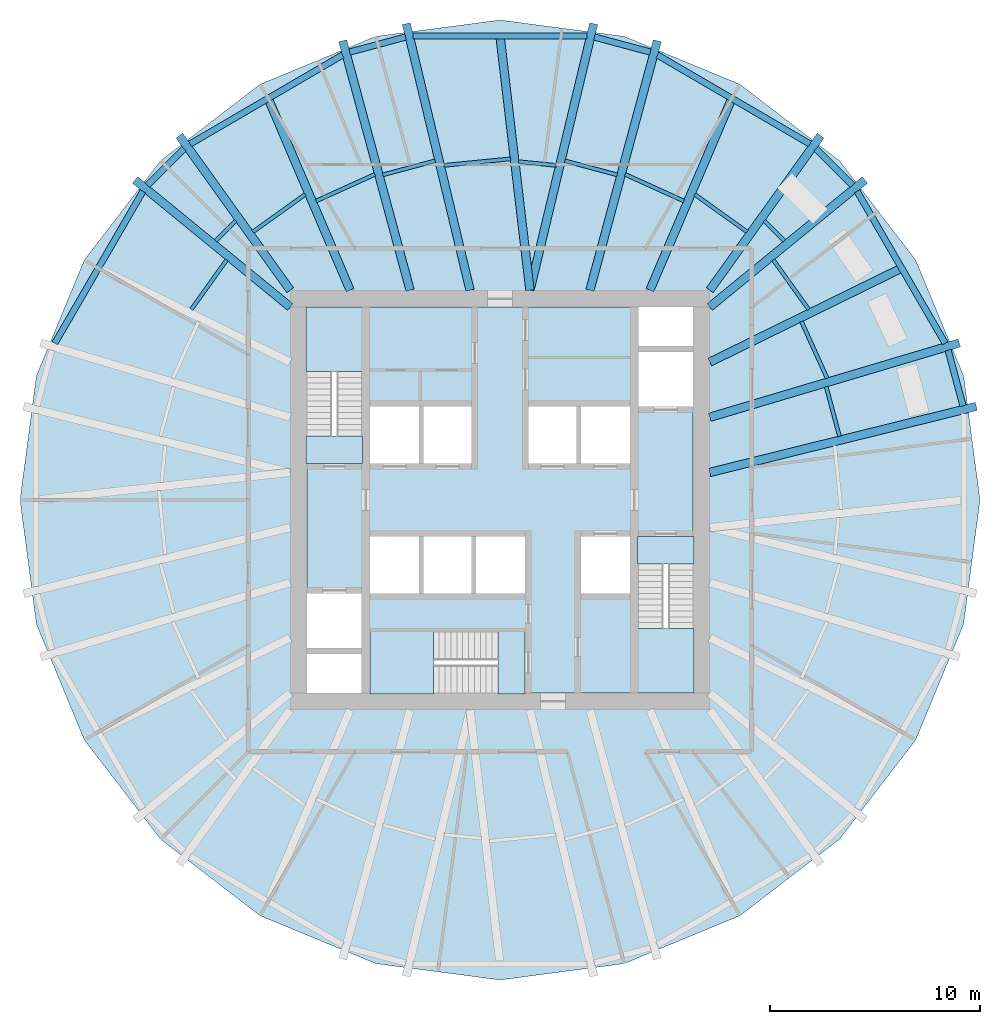
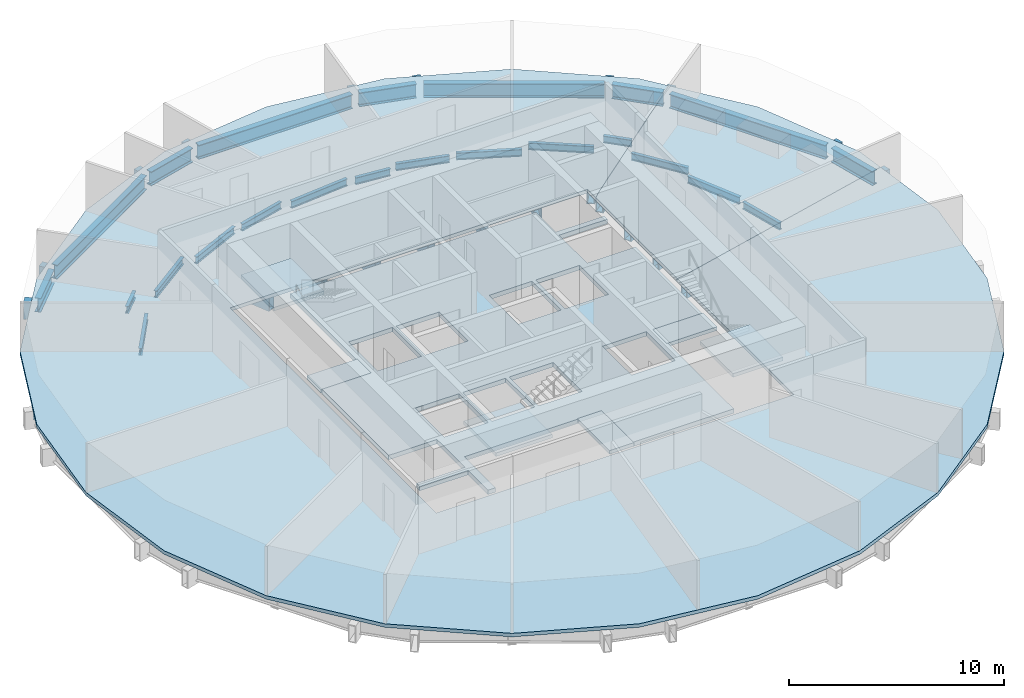
# One storey, part 2 of 7: 38 beams, 9 slabs, 3 elements without a shape of their own.
"""IFC4 building model written with IfcOpenShell, lengths in metres."""

from ifc_helpers import new_model, si_unit, direction, frame, origin, origin_2d, place, context, subcontext, project, spatial, polyline, hollow_rectangle, i_section, outline, extrude, material, layer, layer_set, material_profile, profile_set, type_object, element, aggregate, save


model = new_model("IFC4")

# Units and contexts
model_context = context("Model", 3, precision=1e-05, world=origin(), true_north=direction((0.0, 1.0)))
body_context = subcontext(model_context, "Body", "Model", "MODEL_VIEW")
ifc_project = project(units=[si_unit("LENGTHUNIT", "METRE"), si_unit("AREAUNIT", "SQUARE_METRE"), si_unit("VOLUMEUNIT", "CUBIC_METRE"), si_unit("PLANEANGLEUNIT", "RADIAN"), si_unit("MASSUNIT", "GRAM", prefix="KILO")], contexts=[model_context])

# Site, building, storey
site_placement = place(None, origin())
site = spatial("IfcSite", under=ifc_project, at=site_placement, CompositionType="ELEMENT")
building_placement = place(site_placement, origin())
building = spatial("IfcBuilding", under=site, at=building_placement, Name="Golbaran Civic Tower", CompositionType="ELEMENT")
storey_placement = place(building_placement, frame((0.0, 0.0, 41.0)))
storey = spatial("IfcBuildingStorey", under=building, at=storey_placement, Name="L09", CompositionType="ELEMENT", Elevation=41.0)

# Beams
ifc_material_1 = material(Name="Steel S355", Category="steel")
ifc_material_profile_1 = material_profile(ifc_material_1, i_section(OverallWidth=0.300048828125, OverallDepth=0.800048828125, WebThickness=0.017578125, FlangeThickness=0.032958984375, FilletRadius=0.030029296875, at=origin_2d()), Name="HEB 800")
ifc_profile_set_1 = profile_set([ifc_material_profile_1], Name="Steel S355")
beam_type_1 = type_object("IfcBeamType", Name="EDGE BEAM HEB 800", PredefinedType="BEAM", material=ifc_profile_set_1)
beam_1_placement = place(storey_placement, frame((22.071044921875, 4.489501953125, -0.60009765625), z_axis=(-0.258638144049, 0.965974280425, 0.0), x_axis=(-0.965974280425, -0.258638144049, 0.0)))
element("IfcBeam", 1, at=beam_1_placement, inside=storey, type_object=beam_type_1, Name="Edge beam 11.19 L09", PredefinedType="BEAM", context=body_context, shape_type="SweptSolid", body=[
    extrude(i_section(OverallWidth=0.300048828125, OverallDepth=0.800048828125, WebThickness=0.017578125, FlangeThickness=0.032958984375, FilletRadius=0.030029296875, at=origin_2d()), origin(), (0.0, 0.0, 1.0), 2.7412109375),
])
beam_2_placement = place(storey_placement, frame((21.22265625, 7.471435546875, -0.60009765625), z_axis=(-0.50172114433, 0.865029417611, 0.0), x_axis=(-0.865029417611, -0.50172114433, 0.0)))
element("IfcBeam", 2, at=beam_2_placement, inside=storey, type_object=beam_type_1, Name="Edge beam 18.81 L09", PredefinedType="BEAM", context=body_context, shape_type="SweptSolid", body=[
    extrude(i_section(OverallWidth=0.300048828125, OverallDepth=0.800048828125, WebThickness=0.017578125, FlangeThickness=0.032958984375, FilletRadius=0.030029296875, at=origin_2d()), origin(), (0.0, 0.0, 1.0), 8.373046875),
])
beam_3_placement = place(storey_placement, frame((16.802490234375, 15.000244140625, -0.60009765625), z_axis=(-0.705868721941, 0.708342676525, 0.0), x_axis=(-0.708342676525, -0.705868721941, 0.0)))
element("IfcBeam", 3, at=beam_3_placement, inside=storey, type_object=beam_type_1, Name="Edge beam 41.19 L09", PredefinedType="BEAM", context=body_context, shape_type="SweptSolid", body=[
    extrude(i_section(OverallWidth=0.300048828125, OverallDepth=0.800048828125, WebThickness=0.017578125, FlangeThickness=0.032958984375, FilletRadius=0.030029296875, at=origin_2d()), origin(), (0.0, 0.0, 1.0), 2.467041015625),
])
beam_4_placement = place(storey_placement, frame((14.776123046875, 16.96826171875, -0.60009765625), z_axis=(-0.863782055537, 0.503865617534, 0.0), x_axis=(-0.503865617534, -0.863782055537, 0.0)))
element("IfcBeam", 4, at=beam_4_placement, inside=storey, type_object=beam_type_1, Name="Edge beam 48.81 L09", PredefinedType="BEAM", context=body_context, shape_type="SweptSolid", body=[
    extrude(i_section(OverallWidth=0.300048828125, OverallDepth=0.800048828125, WebThickness=0.017578125, FlangeThickness=0.032958984375, FilletRadius=0.030029296875, at=origin_2d()), origin(), (0.0, 0.0, 1.0), 8.420654296875),
])
beam_5_placement = place(storey_placement, frame((7.16748046875, 21.351806640625, -0.60009765625), z_axis=(-0.965735952786, 0.259526625797, 0.0), x_axis=(-0.259526625797, -0.965735952786, 0.0)))
element("IfcBeam", 5, at=beam_5_placement, inside=storey, type_object=beam_type_1, Name="Edge beam 71.19 L09", PredefinedType="BEAM", context=body_context, shape_type="SweptSolid", body=[
    extrude(i_section(OverallWidth=0.300048828125, OverallDepth=0.800048828125, WebThickness=0.017578125, FlangeThickness=0.032958984375, FilletRadius=0.030029296875, at=origin_2d()), origin(), (0.0, 0.0, 1.0), 2.762939453125),
])
beam_6_placement = place(storey_placement, frame((4.140380859375, 22.115478515625, -0.60009765625), z_axis=(-1.0, 0.0, 0.0), x_axis=(0.0, -1.0, 0.0)))
element("IfcBeam", 6, at=beam_6_placement, inside=storey, type_object=beam_type_1, Name="Edge beam 78.81 L09", PredefinedType="BEAM", context=body_context, shape_type="SweptSolid", body=[
    extrude(i_section(OverallWidth=0.300048828125, OverallDepth=0.800048828125, WebThickness=0.017578125, FlangeThickness=0.032958984375, FilletRadius=0.030029296875, at=origin_2d()), origin(), (0.0, 0.0, 1.0), 8.28076171875),
])
beam_7_placement = place(storey_placement, frame((-4.499267578125, 22.06884765625, -0.60009765625), z_axis=(-0.965735952786, -0.259526625797, 0.0), x_axis=(0.259526625797, -0.965735952786, 0.0)))
element("IfcBeam", 7, at=beam_7_placement, inside=storey, type_object=beam_type_1, Name="Edge beam 101.19 L09", PredefinedType="BEAM", context=body_context, shape_type="SweptSolid", body=[
    extrude(i_section(OverallWidth=0.300048828125, OverallDepth=0.800048828125, WebThickness=0.017578125, FlangeThickness=0.032958984375, FilletRadius=0.030029296875, at=origin_2d()), origin(), (0.0, 0.0, 1.0), 2.762939453125),
])
beam_8_placement = place(storey_placement, frame((-7.50244140625, 21.211181640625, -0.60009765625), z_axis=(-0.863782055537, -0.503865617534, 0.0), x_axis=(0.503865617534, -0.863782055537, 0.0)))
element("IfcBeam", 8, at=beam_8_placement, inside=storey, type_object=beam_type_1, Name="Edge beam 108.81 L09", PredefinedType="BEAM", context=body_context, shape_type="SweptSolid", body=[
    extrude(i_section(OverallWidth=0.300048828125, OverallDepth=0.800048828125, WebThickness=0.017578125, FlangeThickness=0.032958984375, FilletRadius=0.030029296875, at=origin_2d()), origin(), (0.0, 0.0, 1.0), 8.420654296875),
])
beam_9_placement = place(storey_placement, frame((-15.06103515625, 16.747802734375, -0.60009765625), z_axis=(-0.705868721941, -0.708342676525, 0.0), x_axis=(0.708342676525, -0.705868721941, 0.0)))
element("IfcBeam", 9, at=beam_9_placement, inside=storey, type_object=beam_type_1, Name="Edge beam 131.19 L09", PredefinedType="BEAM", context=body_context, shape_type="SweptSolid", body=[
    extrude(i_section(OverallWidth=0.300048828125, OverallDepth=0.800048828125, WebThickness=0.017578125, FlangeThickness=0.032958984375, FilletRadius=0.030029296875, at=origin_2d()), origin(), (0.0, 0.0, 1.0), 2.467041015625),
])
beam_10_placement = place(storey_placement, frame((-17.021728515625, 14.71435546875, -0.60009765625), z_axis=(-0.50172114433, -0.865029417611, 0.0), x_axis=(0.865029417611, -0.50172114433, 0.0)))
element("IfcBeam", 10, at=beam_10_placement, inside=storey, type_object=beam_type_1, Name="Edge beam 138.81 L09", PredefinedType="BEAM", context=body_context, shape_type="SweptSolid", body=[
    extrude(i_section(OverallWidth=0.300048828125, OverallDepth=0.800048828125, WebThickness=0.017578125, FlangeThickness=0.032958984375, FilletRadius=0.030029296875, at=origin_2d()), origin(), (0.0, 0.0, 1.0), 8.373046875),
])
ifc_material_profile_2 = material_profile(ifc_material_1, i_section(OverallWidth=0.179931640625, OverallDepth=0.39990234375, WebThickness=0.008544921875, FlangeThickness=0.013427734375, FilletRadius=0.02099609375, at=origin_2d()), Name="IPE 400")
ifc_profile_set_2 = profile_set([ifc_material_profile_2], Name="Steel S355")
beam_type_2 = type_object("IfcBeamType", Name="FLOOR INFILL BEAM IPE 400", PredefinedType="BEAM", material=ifc_profile_set_2)
beam_11_placement = place(storey_placement, frame((16.183837890625, 3.03125, -0.39990234375), z_axis=(-0.258830374631, 0.96592279048, 0.0), x_axis=(-0.96592279048, -0.258830374631, 0.0)))
element("IfcBeam", 11, at=beam_11_placement, inside=storey, type_object=beam_type_2, Name="Infill beam 15.00 L09", PredefinedType="BEAM", context=body_context, shape_type="SweptSolid", body=[
    extrude(i_section(OverallWidth=0.179931640625, OverallDepth=0.39990234375, WebThickness=0.008544921875, FlangeThickness=0.013427734375, FilletRadius=0.02099609375, at=origin_2d()), origin(), (0.0, 0.0, 1.0), 2.458984375),
])
beam_12_placement = place(storey_placement, frame((15.597412109375, 5.796875, -0.39990234375), z_axis=(-0.413142393839, 0.910666438611, 0.0), x_axis=(-0.910666438611, -0.413142393839, 0.0)))
element("IfcBeam", 12, at=beam_12_placement, inside=storey, type_object=beam_type_2, Name="Infill beam 24.40 L09", PredefinedType="BEAM", context=body_context, shape_type="SweptSolid", body=[
    extrude(i_section(OverallWidth=0.179931640625, OverallDepth=0.39990234375, WebThickness=0.008544921875, FlangeThickness=0.013427734375, FilletRadius=0.02099609375, at=origin_2d()), origin(), (0.0, 0.0, 1.0), 2.97998046875),
])
beam_13_placement = place(storey_placement, frame((14.7158203125, 9.083251953125, -0.39990234375), z_axis=(-0.582065148857, 0.813142153922, 0.0), x_axis=(-0.813142153922, -0.582065148857, 0.0)))
element("IfcBeam", 13, at=beam_13_placement, inside=storey, type_object=beam_type_2, Name="Infill beam 35.60 L09", PredefinedType="BEAM", context=body_context, shape_type="SweptSolid", body=[
    extrude(i_section(OverallWidth=0.179931640625, OverallDepth=0.39990234375, WebThickness=0.008544921875, FlangeThickness=0.013427734375, FilletRadius=0.02099609375, at=origin_2d()), origin(), (0.0, 0.0, 1.0), 2.9033203125),
])
beam_14_placement = place(storey_placement, frame((13.55810546875, 12.3447265625, -0.39990234375), z_axis=(-0.707017211642, 0.707196339387, 0.0), x_axis=(-0.707196339387, -0.707017211642, 0.0)))
element("IfcBeam", 14, at=beam_14_placement, inside=storey, type_object=beam_type_2, Name="Infill beam 45.00 L09", PredefinedType="BEAM", context=body_context, shape_type="SweptSolid", body=[
    extrude(i_section(OverallWidth=0.179931640625, OverallDepth=0.39990234375, WebThickness=0.008544921875, FlangeThickness=0.013427734375, FilletRadius=0.02099609375, at=origin_2d()), origin(), (0.0, 0.0, 1.0), 1.363037109375),
])
beam_15_placement = place(storey_placement, frame((11.774658203125, 12.783203125, -0.39990234375), z_axis=(-0.813144773342, 0.582061489523, 0.0), x_axis=(-0.582061489523, -0.813144773342, 0.0)))
element("IfcBeam", 15, at=beam_15_placement, inside=storey, type_object=beam_type_2, Name="Infill beam 54.40 L09", PredefinedType="BEAM", context=body_context, shape_type="SweptSolid", body=[
    extrude(i_section(OverallWidth=0.179931640625, OverallDepth=0.39990234375, WebThickness=0.008544921875, FlangeThickness=0.013427734375, FilletRadius=0.02099609375, at=origin_2d()), origin(), (0.0, 0.0, 1.0), 3.056396484375),
])
beam_16_placement = place(storey_placement, frame((8.764892578125, 14.25146484375, -0.39990234375), z_axis=(-0.910654469419, 0.413168775838, 0.0), x_axis=(-0.413168775838, -0.910654469419, 0.0)))
element("IfcBeam", 16, at=beam_16_placement, inside=storey, type_object=beam_type_2, Name="Infill beam 65.60 L09", PredefinedType="BEAM", context=body_context, shape_type="SweptSolid", body=[
    extrude(i_section(OverallWidth=0.179931640625, OverallDepth=0.39990234375, WebThickness=0.008544921875, FlangeThickness=0.013427734375, FilletRadius=0.02099609375, at=origin_2d()), origin(), (0.0, 0.0, 1.0), 3.074951171875),
])
beam_17_placement = place(storey_placement, frame((5.585693359375, 15.4990234375, -0.39990234375), z_axis=(-0.965922339131, 0.258832059004, 0.0), x_axis=(-0.258832059004, -0.965922339131, 0.0)))
element("IfcBeam", 17, at=beam_17_placement, inside=storey, type_object=beam_type_2, Name="Infill beam 75.00 L09", PredefinedType="BEAM", context=body_context, shape_type="SweptSolid", body=[
    extrude(i_section(OverallWidth=0.179931640625, OverallDepth=0.39990234375, WebThickness=0.008544921875, FlangeThickness=0.013427734375, FilletRadius=0.02099609375, at=origin_2d()), origin(), (0.0, 0.0, 1.0), 2.58544921875),
])
beam_18_placement = place(storey_placement, frame((2.666259765625, 15.95068359375, -0.39990234375), z_axis=(-0.995231385986, 0.097542238791, 0.0), x_axis=(-0.097542238791, -0.995231385986, 0.0)))
element("IfcBeam", 18, at=beam_18_placement, inside=storey, type_object=beam_type_2, Name="Infill beam 84.40 L09", PredefinedType="BEAM", context=body_context, shape_type="SweptSolid", body=[
    extrude(i_section(OverallWidth=0.179931640625, OverallDepth=0.39990234375, WebThickness=0.008544921875, FlangeThickness=0.013427734375, FilletRadius=0.02099609375, at=origin_2d()), origin(), (0.0, 0.0, 1.0), 1.787109375),
])
beam_19_placement = place(storey_placement, frame((0.509033203125, 16.26171875, -0.39990234375), z_axis=(-0.995236680809, -0.097488200165, 0.0), x_axis=(0.097488200165, -0.995236680809, 0.0)))
element("IfcBeam", 19, at=beam_19_placement, inside=storey, type_object=beam_type_2, Name="Infill beam 95.60 L09", PredefinedType="BEAM", context=body_context, shape_type="SweptSolid", body=[
    extrude(i_section(OverallWidth=0.179931640625, OverallDepth=0.39990234375, WebThickness=0.008544921875, FlangeThickness=0.013427734375, FilletRadius=0.02099609375, at=origin_2d()), origin(), (0.0, 0.0, 1.0), 3.1904296875),
])
beam_20_placement = place(storey_placement, frame((-3.08837890625, 16.168212890625, -0.39990234375), z_axis=(-0.965922339131, -0.258832059004, 0.0), x_axis=(0.258832059004, -0.965922339131, 0.0)))
element("IfcBeam", 20, at=beam_20_placement, inside=storey, type_object=beam_type_2, Name="Infill beam 105.00 L09", PredefinedType="BEAM", context=body_context, shape_type="SweptSolid", body=[
    extrude(i_section(OverallWidth=0.179931640625, OverallDepth=0.39990234375, WebThickness=0.008544921875, FlangeThickness=0.013427734375, FilletRadius=0.02099609375, at=origin_2d()), origin(), (0.0, 0.0, 1.0), 2.58544921875),
])
beam_21_placement = place(storey_placement, frame((-5.964599609375, 15.52197265625, -0.39990234375), z_axis=(-0.910654469419, -0.413168775838, 0.0), x_axis=(0.413168775838, -0.910654469419, 0.0)))
element("IfcBeam", 21, at=beam_21_placement, inside=storey, type_object=beam_type_2, Name="Infill beam 114.40 L09", PredefinedType="BEAM", context=body_context, shape_type="SweptSolid", body=[
    extrude(i_section(OverallWidth=0.179931640625, OverallDepth=0.39990234375, WebThickness=0.008544921875, FlangeThickness=0.013427734375, FilletRadius=0.02099609375, at=origin_2d()), origin(), (0.0, 0.0, 1.0), 3.074951171875),
])
beam_22_placement = place(storey_placement, frame((-9.289306640625, 14.562255859375, -0.39990234375), z_axis=(-0.813144773342, -0.582061489523, 0.0), x_axis=(0.582061489523, -0.813144773342, 0.0)))
element("IfcBeam", 22, at=beam_22_placement, inside=storey, type_object=beam_type_2, Name="Infill beam 125.60 L09", PredefinedType="BEAM", context=body_context, shape_type="SweptSolid", body=[
    extrude(i_section(OverallWidth=0.179931640625, OverallDepth=0.39990234375, WebThickness=0.008544921875, FlangeThickness=0.013427734375, FilletRadius=0.02099609375, at=origin_2d()), origin(), (0.0, 0.0, 1.0), 3.056396484375),
])
beam_23_placement = place(storey_placement, frame((-12.594482421875, 13.30859375, -0.39990234375), z_axis=(-0.707017211642, -0.707196339387, 0.0), x_axis=(0.707196339387, -0.707017211642, 0.0)))
element("IfcBeam", 23, at=beam_23_placement, inside=storey, type_object=beam_type_2, Name="Infill beam 135.00 L09", PredefinedType="BEAM", context=body_context, shape_type="SweptSolid", body=[
    extrude(i_section(OverallWidth=0.179931640625, OverallDepth=0.39990234375, WebThickness=0.008544921875, FlangeThickness=0.013427734375, FilletRadius=0.02099609375, at=origin_2d()), origin(), (0.0, 0.0, 1.0), 1.363037109375),
])
beam_24_placement = place(storey_placement, frame((-13.02587890625, 11.444091796875, -0.39990234375), z_axis=(-0.582065148857, -0.813142153922, 0.0), x_axis=(0.813142153922, -0.582065148857, 0.0)))
element("IfcBeam", 24, at=beam_24_placement, inside=storey, type_object=beam_type_2, Name="Infill beam 144.40 L09", PredefinedType="BEAM", context=body_context, shape_type="SweptSolid", body=[
    extrude(i_section(OverallWidth=0.179931640625, OverallDepth=0.39990234375, WebThickness=0.008544921875, FlangeThickness=0.013427734375, FilletRadius=0.02099609375, at=origin_2d()), origin(), (0.0, 0.0, 1.0), 2.9033203125),
])
ifc_material_profile_3 = material_profile(ifc_material_1, hollow_rectangle(XDim=0.39990234375, YDim=1.0, WallThickness=0.050048828125, at=origin_2d()), Name="BOX 1000x400x50")
ifc_profile_set_3 = profile_set([ifc_material_profile_3], Name="Steel S355")
beam_type_3 = type_object("IfcBeamType", Name="RADIAL FLOOR BEAM BOX 1000x400x50", PredefinedType="BEAM", material=ifc_profile_set_3)
beam_25_placement = place(storey_placement, frame((10.0, 1.314208984375, -0.7099609375), z_axis=(0.97067018193, 0.24041505342, 0.0), x_axis=(-0.24041505342, 0.97067018193, 0.0)))
element("IfcBeam", 25, at=beam_25_placement, inside=storey, type_object=beam_type_3, Name="Radial beam 11.19 L09", PredefinedType="BEAM", context=body_context, shape_type="SweptSolid", body=[
    extrude(hollow_rectangle(XDim=0.39990234375, YDim=1.0, WallThickness=0.050048828125, at=origin_2d()), origin(), (0.0, 0.0, 1.0), 13.087646484375),
])
beam_26_placement = place(storey_placement, frame((10.0, 3.94287109375, -0.7099609375), z_axis=(0.958432738692, 0.285318568276, 0.0), x_axis=(-0.285318568276, 0.958432738692, 0.0)))
element("IfcBeam", 26, at=beam_26_placement, inside=storey, type_object=beam_type_3, Name="Radial beam 18.81 L09", PredefinedType="BEAM", context=body_context, shape_type="SweptSolid", body=[
    extrude(hollow_rectangle(XDim=0.39990234375, YDim=1.0, WallThickness=0.050048828125, at=origin_2d()), origin(), (0.0, 0.0, 1.0), 12.409912109375),
])
beam_27_placement = place(storey_placement, frame((10.0, 9.199951171875, -0.7099609375), z_axis=(0.77385713329, 0.63336019551, 0.0), x_axis=(-0.63336019551, 0.77385713329, 0.0)))
element("IfcBeam", 27, at=beam_27_placement, inside=storey, type_object=beam_type_3, Name="Radial beam 41.19 L09", PredefinedType="BEAM", context=body_context, shape_type="SweptSolid", body=[
    extrude(hollow_rectangle(XDim=0.39990234375, YDim=1.0, WallThickness=0.050048828125, at=origin_2d()), origin(), (0.0, 0.0, 1.0), 9.557373046875),
])
beam_28_placement = place(storey_placement, frame((10.0, 10.0, -0.7099609375), z_axis=(0.58278844235, 0.812623917605, 0.0), x_axis=(-0.812623917605, 0.58278844235, 0.0)))
element("IfcBeam", 28, at=beam_28_placement, inside=storey, type_object=beam_type_3, Name="Radial beam 48.81 L09", PredefinedType="BEAM", context=body_context, shape_type="SweptSolid", body=[
    extrude(hollow_rectangle(XDim=0.39990234375, YDim=1.0, WallThickness=0.050048828125, at=origin_2d()), origin(), (0.0, 0.0, 1.0), 9.066162109375),
])
beam_29_placement = place(storey_placement, frame((4.28564453125, 10.0, -0.7099609375), z_axis=(0.260929495755, 0.965357860197, 0.0), x_axis=(-0.965357860197, 0.260929495755, 0.0)))
element("IfcBeam", 29, at=beam_29_placement, inside=storey, type_object=beam_type_3, Name="Radial beam 71.19 L09", PredefinedType="BEAM", context=body_context, shape_type="SweptSolid", body=[
    extrude(hollow_rectangle(XDim=0.39990234375, YDim=1.0, WallThickness=0.050048828125, at=origin_2d()), origin(), (0.0, 0.0, 1.0), 12.316162109375),
])
for number, where, z_axis, x_axis, name in (
    (30, (1.428466796875, 10.0, -0.7099609375), (0.232556300315, 0.97258293589, 0.0), (-0.97258293589, 0.232556300315, 0.0), "Radial beam 78.81 L09"),
    (31, (-1.428466796875, 10.0, -0.7099609375), (-0.232556300315, 0.97258293589, 0.0), (-0.97258293589, -0.232556300315, 0.0), "Radial beam 101.19 L09"),
):
    element("IfcBeam", number, at=place(storey_placement, frame(where, z_axis=z_axis, x_axis=x_axis)), inside=storey, type_object=beam_type_3, Name=name, PredefinedType="BEAM", context=body_context, shape_type="SweptSolid", body=[
        extrude(hollow_rectangle(XDim=0.39990234375, YDim=1.0, WallThickness=0.050048828125, at=origin_2d()), origin(), (0.0, 0.0, 1.0), 13.060791015625),
    ])
beam_30_placement = place(storey_placement, frame((-4.28564453125, 10.0, -0.7099609375), z_axis=(-0.260929495755, 0.965357860197, 0.0), x_axis=(-0.965357860197, -0.260929495755, 0.0)))
element("IfcBeam", 32, at=beam_30_placement, inside=storey, type_object=beam_type_3, Name="Radial beam 108.81 L09", PredefinedType="BEAM", context=body_context, shape_type="SweptSolid", body=[
    extrude(hollow_rectangle(XDim=0.39990234375, YDim=1.0, WallThickness=0.050048828125, at=origin_2d()), origin(), (0.0, 0.0, 1.0), 12.316162109375),
])
beam_31_placement = place(storey_placement, frame((-10.0, 10.0, -0.7099609375), z_axis=(-0.58278844235, 0.812623917605, 0.0), x_axis=(-0.812623917605, -0.58278844235, 0.0)))
element("IfcBeam", 33, at=beam_31_placement, inside=storey, type_object=beam_type_3, Name="Radial beam 131.19 L09", PredefinedType="BEAM", context=body_context, shape_type="SweptSolid", body=[
    extrude(hollow_rectangle(XDim=0.39990234375, YDim=1.0, WallThickness=0.050048828125, at=origin_2d()), origin(), (0.0, 0.0, 1.0), 9.066162109375),
])
beam_32_placement = place(storey_placement, frame((-10.0, 9.199951171875, -0.7099609375), z_axis=(-0.77385713329, 0.63336019551, 0.0), x_axis=(-0.63336019551, -0.77385713329, 0.0)))
element("IfcBeam", 34, at=beam_32_placement, inside=storey, type_object=beam_type_3, Name="Radial beam 138.81 L09", PredefinedType="BEAM", context=body_context, shape_type="SweptSolid", body=[
    extrude(hollow_rectangle(XDim=0.39990234375, YDim=1.0, WallThickness=0.050048828125, at=origin_2d()), origin(), (0.0, 0.0, 1.0), 9.557373046875),
])
ifc_material_profile_4 = material_profile(ifc_material_1, hollow_rectangle(XDim=0.39990234375, YDim=1.0, WallThickness=0.0400390625, at=origin_2d()), Name="BOX 1000x400x40")
ifc_profile_set_4 = profile_set([ifc_material_profile_4], Name="Steel S355")
beam_type_4 = type_object("IfcBeamType", Name="SECONDARY FLOOR BEAM BOX 1000x400x40", PredefinedType="BEAM", material=ifc_profile_set_4)
beam_33_placement = place(storey_placement, frame((10.0, 6.571533203125, -0.7099609375), z_axis=(0.897956388499, 0.440084451387, 0.0), x_axis=(-0.440084451387, 0.897956388499, 0.0)))
element("IfcBeam", 35, at=beam_33_placement, inside=storey, type_object=beam_type_4, Name="Secondary beam 30.00 L09", PredefinedType="BEAM", context=body_context, shape_type="SweptSolid", body=[
    extrude(hollow_rectangle(XDim=0.39990234375, YDim=1.0, WallThickness=0.0400390625, at=origin_2d()), origin(), (0.0, 0.0, 1.0), 10.184326171875),
])
beam_34_placement = place(storey_placement, frame((7.142822265625, 10.0, -0.7099609375), z_axis=(0.393118908522, 0.919487641985, 0.0), x_axis=(-0.919487641985, 0.393118908522, 0.0)))
element("IfcBeam", 36, at=beam_34_placement, inside=storey, type_object=beam_type_4, Name="Secondary beam 60.00 L09", PredefinedType="BEAM", context=body_context, shape_type="SweptSolid", body=[
    extrude(hollow_rectangle(XDim=0.39990234375, YDim=1.0, WallThickness=0.0400390625, at=origin_2d()), origin(), (0.0, 0.0, 1.0), 9.941650390625),
])
beam_35_placement = place(storey_placement, frame((1.428466796875, 10.0, -0.7099609375), z_axis=(-0.117093210218, 0.993120929253, 0.0), x_axis=(-0.993120929253, -0.117093210218, 0.0)))
element("IfcBeam", 37, at=beam_35_placement, inside=storey, type_object=beam_type_4, Name="Secondary beam 90.00 L09", PredefinedType="BEAM", context=body_context, shape_type="SweptSolid", body=[
    extrude(hollow_rectangle(XDim=0.39990234375, YDim=1.0, WallThickness=0.0400390625, at=origin_2d()), origin(), (0.0, 0.0, 1.0), 12.199462890625),
])
beam_36_placement = place(storey_placement, frame((-7.142822265625, 10.0, -0.7099609375), z_axis=(-0.393118908522, 0.919487641985, 0.0), x_axis=(-0.919487641985, -0.393118908522, 0.0)))
element("IfcBeam", 38, at=beam_36_placement, inside=storey, type_object=beam_type_4, Name="Secondary beam 120.00 L09", PredefinedType="BEAM", context=body_context, shape_type="SweptSolid", body=[
    extrude(hollow_rectangle(XDim=0.39990234375, YDim=1.0, WallThickness=0.0400390625, at=origin_2d()), origin(), (0.0, 0.0, 1.0), 9.941650390625),
])

# Slabs
ifc_material_2 = material(Name="Concrete LC30/33 lightweight on steel deck", Category="concrete")
ifc_layer_1 = layer(ifc_material_2, 0.199951171875, Name="Concrete LC30/33 lightweight on steel deck")
ifc_layer_set_1 = layer_set([ifc_layer_1], Name="Concrete LC30/33 lightweight on steel deck")
slab_type_1 = type_object("IfcSlabType", Name="COMPOSITE FLOOR SLAB 200", PredefinedType="FLOOR", material=ifc_layer_set_1)
slab_1_placement = place(storey_placement, frame((0.0, 0.0, -0.199951171875)))
element("IfcSlab", 39, at=slab_1_placement, inside=storey, type_object=slab_type_1, Name="Sky garden deck L09", PredefinedType="FLOOR", context=body_context, shape_type="SweptSolid", body=[
    extrude(outline(polyline([(22.1005859375, 5.921875), (22.305908203125, 4.362060546875), (10.0, 1.314208984375), (9.60009765625, 1.26171875), (9.60009765625, 8.83203125), (10.0, 9.199951171875), (17.08447265625, 14.99853515625), (19.81494140625, 11.440185546875), (22.1005859375, 5.921875)])), origin(), (0.0, 0.0, 1.0), 0.199951171875),
])
slab_2_placement = place(storey_placement, frame((0.0, 0.0, -0.199951171875)))
element("IfcSlab", 40, at=slab_2_placement, inside=storey, type_object=slab_type_1, Name="Floor slab L09", PredefinedType="FLOOR", context=body_context, shape_type="SweptSolid", body=[
    extrude(outline(polyline([(16.1787109375, -16.1787109375), (11.440185546875, -19.81494140625), (5.921875, -22.1005859375), (0.0, -22.88037109375), (-5.921875, -22.1005859375), (-11.440185546875, -19.81494140625), (-16.1787109375, -16.1787109375), (-19.81494140625, -11.440185546875), (-22.1005859375, -5.921875), (-22.88037109375, 0.0), (-22.1005859375, 5.921875), (-19.81494140625, 11.440185546875), (-16.1787109375, 16.1787109375), (-11.440185546875, 19.81494140625), (-5.921875, 22.1005859375), (0.0, 22.88037109375), (5.921875, 22.1005859375), (11.440185546875, 19.81494140625), (16.1787109375, 16.1787109375), (17.08447265625, 14.99853515625), (10.0, 9.199951171875), (9.60009765625, 8.83203125), (9.60009765625, 9.60009765625), (-9.60009765625, 9.60009765625), (-9.60009765625, -9.60009765625), (9.60009765625, -9.60009765625), (9.60009765625, 1.26171875), (10.0, 1.314208984375), (22.305908203125, 4.362060546875), (22.88037109375, 0.0), (22.1005859375, -5.921875), (19.81494140625, -11.440185546875), (16.1787109375, -16.1787109375)])), origin(), (0.0, 0.0, 1.0), 0.199951171875),
])
ifc_material_3 = material(Name="Concrete C35/45", Category="concrete")
ifc_layer_2 = layer(ifc_material_3, 0.25, Name="Concrete C35/45")
ifc_layer_set_2 = layer_set([ifc_layer_2], Name="Concrete C35/45")
slab_type_2 = type_object("IfcSlabType", Name="CORE FLOOR SLAB 250", PredefinedType="FLOOR", material=ifc_layer_set_2)
slab_3_placement = place(storey_placement, frame((0.0, 0.0, -0.25)))
element("IfcSlab", 41, at=slab_3_placement, inside=storey, type_object=slab_type_2, Name="Core floor slab L09", PredefinedType="FLOOR", context=body_context, shape_type="SweptSolid", body=[
    extrude(outline(polyline([(6.60009765625, -1.75), (6.60009765625, -9.199951171875), (1.199951171875, -9.199951171875), (1.199951171875, -6.300048828125), (-6.199951171875, -6.300048828125), (-6.199951171875, -9.199951171875), (-6.60009765625, -9.199951171875), (-6.60009765625, -7.35009765625), (-9.199951171875, -7.35009765625), (-9.199951171875, -7.050048828125), (-6.60009765625, -7.050048828125), (-6.60009765625, -4.449951171875), (-9.199951171875, -4.449951171875), (-9.199951171875, 1.75), (-6.60009765625, 1.75), (-6.60009765625, 9.199951171875), (6.60009765625, 9.199951171875), (6.60009765625, 7.35009765625), (9.199951171875, 7.35009765625), (9.199951171875, 7.050048828125), (6.60009765625, 7.050048828125), (6.60009765625, 4.449951171875), (9.199951171875, 4.449951171875), (9.199951171875, -1.75), (6.60009765625, -1.75)]), holes=[polyline([(6.199951171875, -1.75), (3.85009765625, -1.75), (3.85009765625, -4.449951171875), (6.199951171875, -4.449951171875), (6.199951171875, -1.75)]), polyline([(6.199951171875, 4.449951171875), (3.85009765625, 4.449951171875), (3.85009765625, 1.75), (6.199951171875, 1.75), (6.199951171875, 4.449951171875)]), polyline([(3.64990234375, 4.449951171875), (1.35009765625, 4.449951171875), (1.35009765625, 1.75), (3.64990234375, 1.75), (3.64990234375, 4.449951171875)]), polyline([(1.199951171875, -1.75), (-1.14990234375, -1.75), (-1.14990234375, -4.449951171875), (1.199951171875, -4.449951171875), (1.199951171875, -1.75)]), polyline([(-1.35009765625, 4.449951171875), (-3.64990234375, 4.449951171875), (-3.64990234375, 1.75), (-1.35009765625, 1.75), (-1.35009765625, 4.449951171875)]), polyline([(-1.35009765625, -1.75), (-3.64990234375, -1.75), (-3.64990234375, -4.449951171875), (-1.35009765625, -4.449951171875), (-1.35009765625, -1.75)]), polyline([(-3.85009765625, -1.75), (-6.199951171875, -1.75), (-6.199951171875, -4.449951171875), (-3.85009765625, -4.449951171875), (-3.85009765625, -1.75)]), polyline([(-3.85009765625, 4.449951171875), (-6.199951171875, 4.449951171875), (-6.199951171875, 1.75), (-3.85009765625, 1.75), (-3.85009765625, 4.449951171875)])]), origin(), (0.0, 0.0, 1.0), 0.25),
])

# Stair, slab
stair_type_1 = type_object("IfcStairType", Name="EXIT STAIR 2600 x 7450, 4000 RISE", PredefinedType="HALF_TURN_STAIR", material=ifc_material_3)
stair_1_placement = place(storey_placement, origin())
stair_1 = element("IfcStair", 42, at=stair_1_placement, inside=storey, type_object=stair_type_1, Name="Stair S1 L09", PredefinedType="HALF_TURN_STAIR")
ifc_layer_3 = layer(ifc_material_3, 0.199951171875, Name="Concrete C35/45")
ifc_layer_set_3 = layer_set([ifc_layer_3], Name="Concrete C35/45")
slab_type_3 = type_object("IfcSlabType", Name="STAIR LANDING 200", PredefinedType="LANDING", material=ifc_layer_set_3)
slab_4_placement = place(storey_placement, frame((0.0, 0.0, 1.800048828125)))
slab_4 = element("IfcSlab", 43, at=slab_4_placement, type_object=slab_type_3, Name="ST26074-40 landing 1", PredefinedType="LANDING", context=body_context, shape_type="SweptSolid", body=[
    extrude(outline(polyline([(-9.25, 6.125), (-9.25, 9.199951171875), (-6.550048828125, 9.199951171875), (-6.550048828125, 6.125), (-9.25, 6.125)])), origin(), (0.0, 0.0, 1.0), 0.199951171875),
])
aggregate(stair_1, [slab_4])

# Slab
slab_5_placement = place(storey_placement, frame((0.0, 0.0, -0.199951171875)))
element("IfcSlab", 44, at=slab_5_placement, inside=storey, type_object=slab_type_3, Name="Stair S1 floor landing L09", PredefinedType="LANDING", context=body_context, shape_type="SweptSolid", body=[
    extrude(outline(polyline([(-9.25, 1.75), (-9.25, 3.054931640625), (-6.550048828125, 3.054931640625), (-6.550048828125, 1.75), (-9.25, 1.75)])), origin(), (0.0, 0.0, 1.0), 0.199951171875),
])

# Stair, slab
stair_2_placement = place(storey_placement, origin())
stair_2 = element("IfcStair", 45, at=stair_2_placement, inside=storey, type_object=stair_type_1, Name="Stair S2 L09", PredefinedType="HALF_TURN_STAIR")
slab_6_placement = place(storey_placement, frame((0.0, 0.0, 1.800048828125)))
slab_6 = element("IfcSlab", 46, at=slab_6_placement, type_object=slab_type_3, Name="ST26074-40 landing 1", PredefinedType="LANDING", context=body_context, shape_type="SweptSolid", body=[
    extrude(outline(polyline([(9.25, -6.125), (9.25, -9.199951171875), (6.550048828125, -9.199951171875), (6.550048828125, -6.125), (9.25, -6.125)])), origin(), (0.0, 0.0, 1.0), 0.199951171875),
])
aggregate(stair_2, [slab_6])

# Slab
slab_7_placement = place(storey_placement, frame((0.0, 0.0, -0.199951171875)))
element("IfcSlab", 47, at=slab_7_placement, inside=storey, type_object=slab_type_3, Name="Stair S2 floor landing L09", PredefinedType="LANDING", context=body_context, shape_type="SweptSolid", body=[
    extrude(outline(polyline([(9.25, -1.75), (9.25, -3.054931640625), (6.550048828125, -3.054931640625), (6.550048828125, -1.75), (9.25, -1.75)])), origin(), (0.0, 0.0, 1.0), 0.199951171875),
])

# Stair, slab
stair_type_2 = type_object("IfcStairType", Name="EXIT STAIR 2900 x 7400, 4000 RISE", PredefinedType="HALF_TURN_STAIR", material=ifc_material_3)
stair_3_placement = place(storey_placement, origin())
stair_3 = element("IfcStair", 48, at=stair_3_placement, inside=storey, type_object=stair_type_2, Name="Stair S3 L09", PredefinedType="HALF_TURN_STAIR")
slab_8_placement = place(storey_placement, frame((0.0, 0.0, 1.800048828125)))
slab_8 = element("IfcSlab", 49, at=slab_8_placement, type_object=slab_type_3, Name="ST29074-40 landing 1", PredefinedType="LANDING", context=body_context, shape_type="SweptSolid", body=[
    extrude(outline(polyline([(-3.175048828125, -9.25), (-6.199951171875, -9.25), (-6.199951171875, -6.25), (-3.175048828125, -6.25), (-3.175048828125, -9.25)])), origin(), (0.0, 0.0, 1.0), 0.199951171875),
])
aggregate(stair_3, [slab_8])

# Slab
slab_9_placement = place(storey_placement, frame((0.0, 0.0, -0.199951171875)))
element("IfcSlab", 50, at=slab_9_placement, inside=storey, type_object=slab_type_3, Name="Stair S3 floor landing L09", PredefinedType="LANDING", context=body_context, shape_type="SweptSolid", body=[
    extrude(outline(polyline([(1.199951171875, -9.25), (-0.10498046875, -9.25), (-0.10498046875, -6.25), (1.199951171875, -6.25), (1.199951171875, -9.25)])), origin(), (0.0, 0.0, 1.0), 0.199951171875),
])

save(model, "model.ifc")
